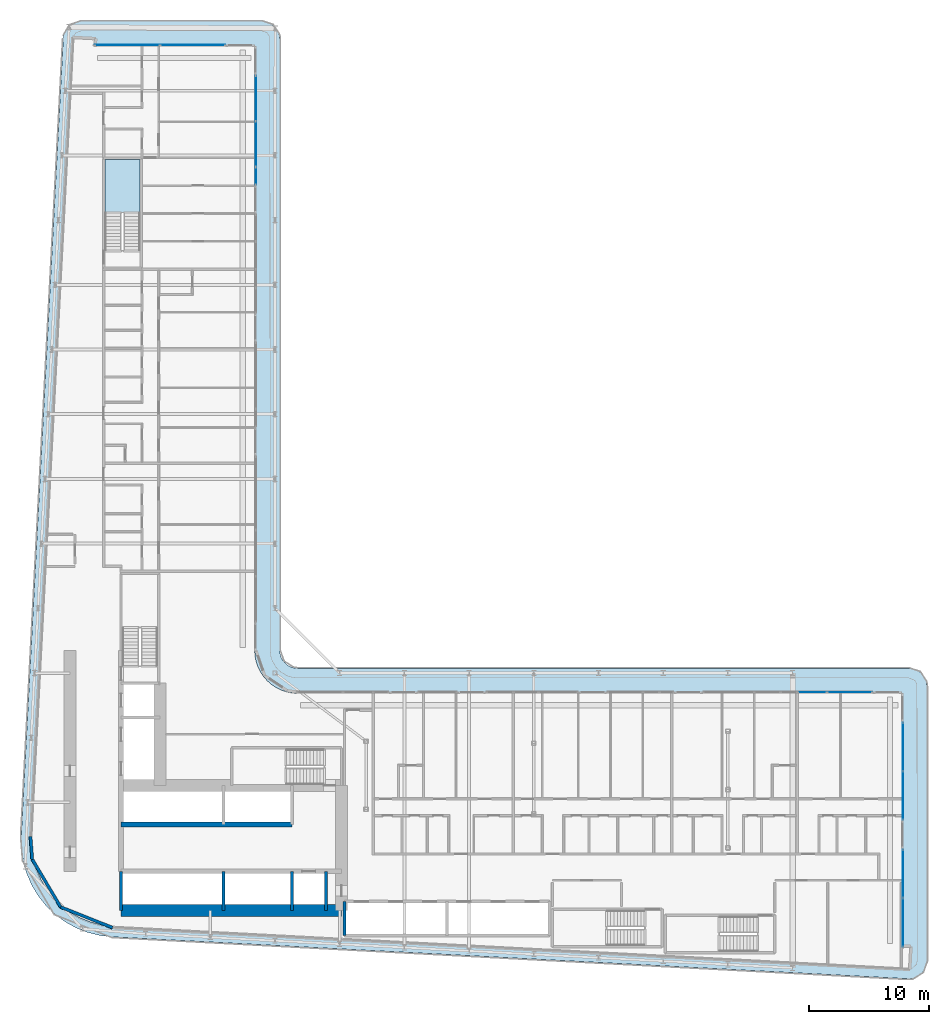
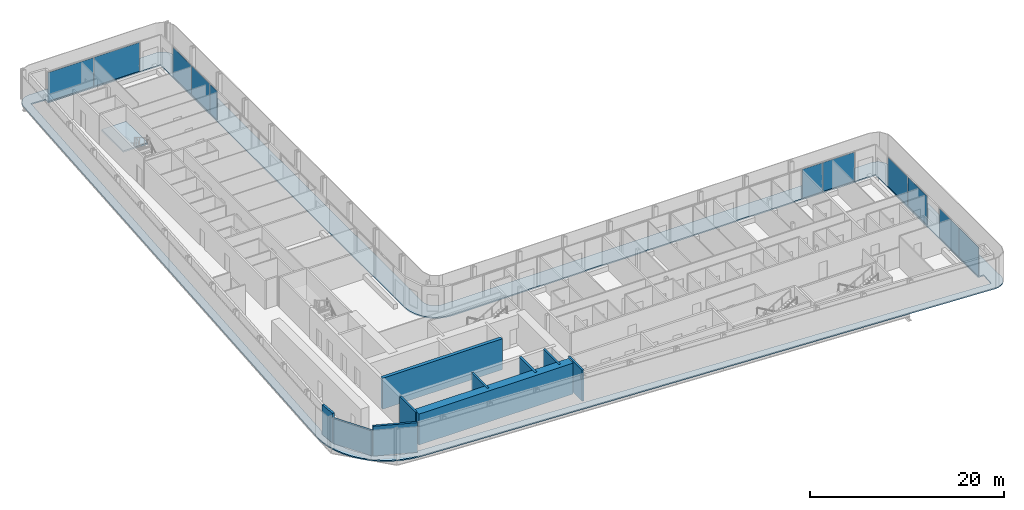
# One storey, part 12 of 28: 11 plates, 10 walls, 2 slabs, 7 elements without a shape of their own.
"""IFC4 building model written with IfcOpenShell, lengths in metres."""

from ifc_helpers import new_model, si_unit, direction, frame, frame_2d, origin, origin_2d, place, context, subcontext, project, spatial, polyline, rectangle, outline, extrude, material, layer, layer_set, type_object, element, aggregate, save


model = new_model("IFC4")

# Units and contexts
model_context = context("Model", 3, precision=1e-05, world=origin(), true_north=direction((0.0, 1.0)))
body_context = subcontext(model_context, "Body", "Model", "MODEL_VIEW")
ifc_project = project(units=[si_unit("LENGTHUNIT", "METRE"), si_unit("AREAUNIT", "SQUARE_METRE"), si_unit("VOLUMEUNIT", "CUBIC_METRE"), si_unit("PLANEANGLEUNIT", "RADIAN"), si_unit("MASSUNIT", "GRAM", prefix="KILO")], contexts=[model_context])

# Site, building, storey
site_placement = place(None, origin())
site = spatial("IfcSite", under=ifc_project, at=site_placement, CompositionType="ELEMENT")
building_placement = place(site_placement, origin())
building = spatial("IfcBuilding", under=site, at=building_placement, Name="Kheshtan School and Residences Tower", CompositionType="ELEMENT")
storey_placement = place(building_placement, frame((0.0, 0.0, 73.39990234375)))
storey = spatial("IfcBuildingStorey", under=building, at=storey_placement, Name="L17", CompositionType="ELEMENT", Elevation=73.39990234375)

# Curtain wall, plates
ifc_material_1 = material(Name="Clear low-e glass in thermally broken aluminium frame", Category="aluminium")
ifc_layer_1 = layer(ifc_material_1, 0.199951171875)
ifc_layer_set_1 = layer_set([ifc_layer_1], Name="Curtain wall CW-L")
curtain_wall_type = type_object("IfcCurtainWallType", Name="Curtain wall CW-L", PredefinedType="NOTDEFINED", material=ifc_layer_set_1)
curtain_wall_1_placement = place(storey_placement, origin())
curtain_wall_1 = element("IfcCurtainWall", 1, at=curtain_wall_1_placement, inside=storey, type_object=curtain_wall_type, Name="Curtain wall CWL7", PredefinedType="NOTDEFINED")
ifc_layer_2 = layer(ifc_material_1, 0.031982421875)
ifc_layer_set_2 = layer_set([ifc_layer_2], Name="CW-L glass panel")
plate_type = type_object("IfcPlateType", Name="CW-L glass panel", PredefinedType="CURTAIN_PANEL", material=ifc_layer_set_2)
plate_1_placement = place(storey_placement, frame((35.259033203125, 98.0, 0.000244140625), z_axis=(0.0, 0.0, 1.0), x_axis=(1.0, 0.0, 0.0)))
plate_1 = element("IfcPlate", 2, at=plate_1_placement, type_object=plate_type, Name="CWL7 panel 1.1", PredefinedType="CURTAIN_PANEL", context=body_context, shape_type="SweptSolid", body=[
    extrude(rectangle(XDim=5.4140625, YDim=0.031982421875, at=origin_2d()), origin(), (0.0, 0.0, 1.0), 3.6298828125),
])
plate_2_placement = place(storey_placement, frame((40.73291015625, 98.0, 0.000244140625), z_axis=(0.0, 0.0, 1.0), x_axis=(1.0, 0.0, 0.0)))
plate_2 = element("IfcPlate", 3, at=plate_2_placement, type_object=plate_type, Name="CWL7 panel 2.1", PredefinedType="CURTAIN_PANEL", context=body_context, shape_type="SweptSolid", body=[
    extrude(rectangle(XDim=5.4140625, YDim=0.031982421875, at=origin_2d()), origin(), (0.0, 0.0, 1.0), 3.6298828125),
])
aggregate(curtain_wall_1, [plate_1, plate_2])

curtain_wall_2_placement = place(storey_placement, origin())
curtain_wall_2 = element("IfcCurtainWall", 4, at=curtain_wall_2_placement, inside=storey, type_object=curtain_wall_type, Name="Curtain wall CWL8", PredefinedType="NOTDEFINED")
plate_3_placement = place(storey_placement, frame((46.0, 93.5615234375, 0.000244140625), z_axis=(0.0, 0.0, 1.0), x_axis=(0.0, -1.0, 0.0)))
plate_3 = element("IfcPlate", 5, at=plate_3_placement, type_object=plate_type, Name="CWL8 panel 1.1", PredefinedType="CURTAIN_PANEL", context=body_context, shape_type="SweptSolid", body=[
    extrude(rectangle(XDim=3.757080078125, YDim=0.031982421875, at=origin_2d()), origin(), (0.0, 0.0, 1.0), 3.6298828125),
])
plate_4_placement = place(storey_placement, frame((46.0, 89.744384765625, 0.000244140625), z_axis=(0.0, 0.0, 1.0), x_axis=(0.0, -1.0, 0.0)))
plate_4 = element("IfcPlate", 6, at=plate_4_placement, type_object=plate_type, Name="CWL8 panel 2.1", PredefinedType="CURTAIN_PANEL", context=body_context, shape_type="SweptSolid", body=[
    extrude(rectangle(XDim=3.757080078125, YDim=0.031982421875, at=origin_2d()), origin(), (0.0, 0.0, 1.0), 3.6298828125),
])
aggregate(curtain_wall_2, [plate_3, plate_4])

# Curtain wall, plate
curtain_wall_3_placement = place(storey_placement, origin())
curtain_wall_3 = element("IfcCurtainWall", 7, at=curtain_wall_3_placement, inside=storey, type_object=curtain_wall_type, Name="Curtain wall CWL8a", PredefinedType="NOTDEFINED")
plate_5_placement = place(storey_placement, frame((46.0, 87.0859375, 0.000244140625), z_axis=(0.0, 0.0, 1.0), x_axis=(0.0, -1.0, 0.0)))
plate_5 = element("IfcPlate", 8, at=plate_5_placement, type_object=plate_type, Name="CWL8a panel 1.1", PredefinedType="CURTAIN_PANEL", context=body_context, shape_type="SweptSolid", body=[
    extrude(rectangle(XDim=1.43994140625, YDim=0.031982421875, at=origin_2d()), origin(), (0.0, 0.0, 1.0), 3.6298828125),
])
aggregate(curtain_wall_3, [plate_5])

# Curtain wall, plates
curtain_wall_4_placement = place(storey_placement, origin())
curtain_wall_4 = element("IfcCurtainWall", 9, at=curtain_wall_4_placement, inside=storey, type_object=curtain_wall_type, Name="Curtain wall CWL12k", PredefinedType="NOTDEFINED")
plate_6_placement = place(storey_placement, frame((92.426513671875, 44.0, 0.000244140625), z_axis=(0.0, 0.0, 1.0), x_axis=(1.0, 0.0, 0.0)))
plate_6 = element("IfcPlate", 10, at=plate_6_placement, type_object=plate_type, Name="CWL12k panel 2.1", PredefinedType="CURTAIN_PANEL", context=body_context, shape_type="SweptSolid", body=[
    extrude(rectangle(XDim=2.39306640625, YDim=0.031982421875, at=origin_2d()), origin(), (0.0, 0.0, 1.0), 3.6298828125),
])
plate_7_placement = place(storey_placement, frame((95.5615234375, 44.0, 0.000244140625), z_axis=(0.0, 0.0, 1.0), x_axis=(1.0, 0.0, 0.0)))
plate_7 = element("IfcPlate", 11, at=plate_7_placement, type_object=plate_type, Name="CWL12k panel 3.1", PredefinedType="CURTAIN_PANEL", context=body_context, shape_type="SweptSolid", body=[
    extrude(rectangle(XDim=3.757080078125, YDim=0.031982421875, at=origin_2d()), origin(), (0.0, 0.0, 1.0), 3.6298828125),
])
aggregate(curtain_wall_4, [plate_6, plate_7])

curtain_wall_5_placement = place(storey_placement, origin())
curtain_wall_5 = element("IfcCurtainWall", 12, at=curtain_wall_5_placement, inside=storey, type_object=curtain_wall_type, Name="Curtain wall CWL13b", PredefinedType="NOTDEFINED")
plate_8_placement = place(storey_placement, frame((100.0, 39.436767578125, 0.000244140625), z_axis=(0.0, 0.0, 1.0), x_axis=(0.0, -1.0, 0.0)))
plate_8 = element("IfcPlate", 13, at=plate_8_placement, type_object=plate_type, Name="CWL13b panel 1.1", PredefinedType="CURTAIN_PANEL", context=body_context, shape_type="SweptSolid", body=[
    extrude(rectangle(XDim=4.006591796875, YDim=0.031982421875, at=origin_2d()), origin(), (0.0, 0.0, 1.0), 3.6298828125),
])
plate_9_placement = place(storey_placement, frame((100.0, 35.370361328125, 0.000244140625), z_axis=(0.0, 0.0, 1.0), x_axis=(0.0, -1.0, 0.0)))
plate_9 = element("IfcPlate", 14, at=plate_9_placement, type_object=plate_type, Name="CWL13b panel 2.1", PredefinedType="CURTAIN_PANEL", context=body_context, shape_type="SweptSolid", body=[
    extrude(rectangle(XDim=4.006591796875, YDim=0.031982421875, at=origin_2d()), origin(), (0.0, 0.0, 1.0), 3.6298828125),
])
aggregate(curtain_wall_5, [plate_8, plate_9])

curtain_wall_6_placement = place(storey_placement, origin())
curtain_wall_6 = element("IfcCurtainWall", 15, at=curtain_wall_6_placement, inside=storey, type_object=curtain_wall_type, Name="Curtain wall CWL13b", PredefinedType="NOTDEFINED")
plate_10_placement = place(storey_placement, frame((100.0, 28.84375, 0.000244140625), z_axis=(0.0, 0.0, 1.0), x_axis=(0.0, -1.0, 0.0)))
plate_10 = element("IfcPlate", 16, at=plate_10_placement, type_object=plate_type, Name="CWL13b panel 1.1", PredefinedType="CURTAIN_PANEL", context=body_context, shape_type="SweptSolid", body=[
    extrude(rectangle(XDim=4.006591796875, YDim=0.031982421875, at=origin_2d()), origin(), (0.0, 0.0, 1.0), 3.6298828125),
])
plate_11_placement = place(storey_placement, frame((100.0, 24.77734375, 0.000244140625), z_axis=(0.0, 0.0, 1.0), x_axis=(0.0, -1.0, 0.0)))
plate_11 = element("IfcPlate", 17, at=plate_11_placement, type_object=plate_type, Name="CWL13b panel 2.1", PredefinedType="CURTAIN_PANEL", context=body_context, shape_type="SweptSolid", body=[
    extrude(rectangle(XDim=4.006591796875, YDim=0.031982421875, at=origin_2d()), origin(), (0.0, 0.0, 1.0), 3.6298828125),
])
aggregate(curtain_wall_6, [plate_10, plate_11])

# Slab
ifc_material_2 = material(Name="Concrete C40/50", Category="concrete")
ifc_layer_3 = layer(ifc_material_2, 0.14990234375)
ifc_layer_set_3 = layer_set([ifc_layer_3], Name="Loggia balcony slab 150 Concrete C40/50")
slab_type_1 = type_object("IfcSlabType", Name="Loggia balcony slab 150 Concrete C40/50", PredefinedType="FLOOR", material=ifc_layer_set_3)
slab_1_placement = place(storey_placement, frame((0.0, 0.0, -0.14990234375)))
element("IfcSlab", 18, at=slab_1_placement, inside=storey, type_object=slab_type_1, Name="Loggia balcony slab L17", PredefinedType="FLOOR", context=body_context, shape_type="SweptSolid", body=[
    extrude(outline(polyline([(28.4580078125, 26.222900390625), (28.45703125, 26.222900390625), (28.45703125, 26.22412109375), (28.4560546875, 26.22412109375), (27.81494140625, 27.0390625), (27.281005859375, 27.93798828125), (26.867919921875, 28.89990234375), (26.583984375, 29.89990234375), (26.583984375, 29.906982421875), (26.43408203125, 30.943115234375), (26.419921875, 31.989013671875), (29.925048828125, 98.5791015625), (29.930908203125, 98.626953125), (29.930908203125, 98.6279296875), (29.929931640625, 98.6279296875), (29.929931640625, 98.62890625), (29.928955078125, 98.62890625), (29.928955078125, 98.6298828125), (29.927978515625, 98.6298828125), (29.927978515625, 98.631103515625), (29.927001953125, 98.631103515625), (29.927001953125, 98.632080078125), (29.927001953125, 98.633056640625), (29.945068359375, 98.781005859375), (29.945068359375, 98.783935546875), (29.945068359375, 98.784912109375), (29.946044921875, 98.784912109375), (29.946044921875, 98.785888671875), (29.947021484375, 98.785888671875), (29.947021484375, 98.787109375), (29.947998046875, 98.787109375), (29.948974609375, 98.787109375), (29.948974609375, 98.7880859375), (29.949951171875, 98.7880859375), (29.949951171875, 98.7890625), (29.949951171875, 98.791015625), (30.0029296875, 98.98388671875), (30.083984375, 99.175048828125), (30.18896484375, 99.35302734375), (30.31103515625, 99.507080078125), (30.31201171875, 99.507080078125), (30.31201171875, 99.508056640625), (30.31298828125, 99.508056640625), (30.31298828125, 99.509033203125), (30.31396484375, 99.509033203125), (30.31396484375, 99.510009765625), (30.31494140625, 99.510009765625), (30.31494140625, 99.510986328125), (30.31591796875, 99.510986328125), (30.31591796875, 99.511962890625), (30.31689453125, 99.511962890625), (30.31689453125, 99.512939453125), (30.318115234375, 99.512939453125), (30.320068359375, 99.512939453125), (30.321044921875, 99.512939453125), (30.321044921875, 99.513916015625), (30.468017578125, 99.656982421875), (30.468994140625, 99.656982421875), (30.468994140625, 99.657958984375), (30.469970703125, 99.657958984375), (30.469970703125, 99.658935546875), (30.470947265625, 99.658935546875), (30.470947265625, 99.659912109375), (30.471923828125, 99.659912109375), (30.471923828125, 99.660888671875), (30.472900390625, 99.660888671875), (30.472900390625, 99.662109375), (30.47412109375, 99.662109375), (30.47412109375, 99.6630859375), (30.47509765625, 99.6630859375), (30.47509765625, 99.6640625), (30.635986328125, 99.777099609375), (30.820068359375, 99.873046875), (31.007080078125, 99.943115234375), (31.013916015625, 99.943115234375), (31.217041015625, 99.986083984375), (31.423095703125, 100.0), (46.5, 100.0), (46.696044921875, 99.987060546875), (46.887939453125, 99.948974609375), (46.89501953125, 99.948974609375), (47.073974609375, 99.885986328125), (47.243896484375, 99.801025390625), (47.2451171875, 99.801025390625), (47.2470703125, 99.801025390625), (47.248046875, 99.801025390625), (47.248046875, 99.802001953125), (47.2490234375, 99.802001953125), (47.2490234375, 99.802978515625), (47.25, 99.802978515625), (47.2529296875, 99.802978515625), (47.25390625, 99.802978515625), (47.25390625, 99.802001953125), (47.2548828125, 99.802001953125), (47.2548828125, 99.801025390625), (47.256103515625, 99.801025390625), (47.256103515625, 99.800048828125), (47.257080078125, 99.800048828125), (47.257080078125, 99.799072265625), (47.258056640625, 99.799072265625), (47.258056640625, 99.798095703125), (47.412109375, 99.696044921875), (47.4130859375, 99.696044921875), (47.4130859375, 99.695068359375), (47.4140625, 99.695068359375), (47.4140625, 99.694091796875), (47.4140625, 99.68994140625), (47.4140625, 99.68896484375), (47.4150390625, 99.68896484375), (47.4150390625, 99.68798828125), (47.416015625, 99.68798828125), (47.416015625, 99.68701171875), (47.4169921875, 99.68701171875), (47.4169921875, 99.68603515625), (47.554931640625, 99.568115234375), (47.554931640625, 99.56689453125), (47.555908203125, 99.56689453125), (47.555908203125, 99.56591796875), (47.556884765625, 99.56591796875), (47.556884765625, 99.56494140625), (47.55810546875, 99.56494140625), (47.55810546875, 99.56396484375), (47.55908203125, 99.56396484375), (47.55908203125, 99.56298828125), (47.56005859375, 99.56298828125), (47.56005859375, 99.56201171875), (47.56103515625, 99.56201171875), (47.56201171875, 99.56103515625), (47.56201171875, 99.56005859375), (47.56298828125, 99.56005859375), (47.56298828125, 99.55908203125), (47.56396484375, 99.55908203125), (47.56396484375, 99.55810546875), (47.56494140625, 99.55810546875), (47.56494140625, 99.556884765625), (47.56591796875, 99.556884765625), (47.56591796875, 99.555908203125), (47.56689453125, 99.555908203125), (47.56689453125, 99.554931640625), (47.568115234375, 99.554931640625), (47.68505859375, 99.41796875), (47.68603515625, 99.41796875), (47.68603515625, 99.4169921875), (47.68701171875, 99.4169921875), (47.68701171875, 99.416015625), (47.68798828125, 99.416015625), (47.68798828125, 99.4150390625), (47.68896484375, 99.4150390625), (47.68896484375, 99.4140625), (47.68994140625, 99.4140625), (47.694091796875, 99.4140625), (47.695068359375, 99.4140625), (47.695068359375, 99.4130859375), (47.696044921875, 99.4130859375), (47.696044921875, 99.412109375), (47.797119140625, 99.259033203125), (47.798095703125, 99.259033203125), (47.798095703125, 99.258056640625), (47.799072265625, 99.258056640625), (47.799072265625, 99.257080078125), (47.800048828125, 99.257080078125), (47.800048828125, 99.256103515625), (47.801025390625, 99.256103515625), (47.801025390625, 99.2548828125), (47.802001953125, 99.2548828125), (47.802001953125, 99.25390625), (47.802978515625, 99.25390625), (47.802978515625, 99.2529296875), (47.802978515625, 99.25), (47.802978515625, 99.2490234375), (47.802001953125, 99.2490234375), (47.802001953125, 99.248046875), (47.801025390625, 99.248046875), (47.801025390625, 99.2470703125), (47.801025390625, 99.243896484375), (47.801025390625, 99.242919921875), (47.885986328125, 99.073974609375), (47.948974609375, 98.89501953125), (47.948974609375, 98.887939453125), (47.987060546875, 98.696044921875), (48.0, 98.5), (48.0, 47.5), (48.012939453125, 47.303955078125), (48.051025390625, 47.113037109375), (48.051025390625, 47.10693359375), (48.051025390625, 47.10595703125), (48.114013671875, 46.926025390625), (48.200927734375, 46.75), (48.31005859375, 46.5869140625), (48.431884765625, 46.444091796875), (48.43310546875, 46.444091796875), (48.43310546875, 46.443115234375), (48.43408203125, 46.443115234375), (48.43408203125, 46.44189453125), (48.43505859375, 46.44189453125), (48.43505859375, 46.44091796875), (48.43603515625, 46.44091796875), (48.43603515625, 46.43994140625), (48.43701171875, 46.43994140625), (48.43701171875, 46.43896484375), (48.43798828125, 46.43896484375), (48.43896484375, 46.43798828125), (48.43896484375, 46.43701171875), (48.43994140625, 46.43701171875), (48.43994140625, 46.43603515625), (48.44091796875, 46.43603515625), (48.44091796875, 46.43505859375), (48.44189453125, 46.43505859375), (48.44189453125, 46.43408203125), (48.443115234375, 46.43408203125), (48.443115234375, 46.43310546875), (48.444091796875, 46.43310546875), (48.444091796875, 46.431884765625), (48.5869140625, 46.31005859375), (48.75, 46.200927734375), (48.926025390625, 46.114013671875), (49.10595703125, 46.051025390625), (49.10693359375, 46.051025390625), (49.113037109375, 46.051025390625), (49.303955078125, 46.012939453125), (49.5, 46.0), (100.5, 46.0), (100.696044921875, 45.987060546875), (100.887939453125, 45.948974609375), (100.89501953125, 45.948974609375), (101.073974609375, 45.885986328125), (101.241943359375, 45.801025390625), (101.242919921875, 45.801025390625), (101.2470703125, 45.801025390625), (101.248046875, 45.801025390625), (101.248046875, 45.802001953125), (101.2490234375, 45.802001953125), (101.2490234375, 45.802978515625), (101.25, 45.802978515625), (101.2529296875, 45.802978515625), (101.25390625, 45.802978515625), (101.25390625, 45.802001953125), (101.2548828125, 45.802001953125), (101.2548828125, 45.801025390625), (101.256103515625, 45.801025390625), (101.256103515625, 45.800048828125), (101.257080078125, 45.800048828125), (101.257080078125, 45.799072265625), (101.258056640625, 45.799072265625), (101.258056640625, 45.798095703125), (101.259033203125, 45.798095703125), (101.259033203125, 45.797119140625), (101.260009765625, 45.797119140625), (101.260009765625, 45.7958984375), (101.412109375, 45.696044921875), (101.4130859375, 45.696044921875), (101.4130859375, 45.695068359375), (101.4140625, 45.695068359375), (101.4140625, 45.694091796875), (101.4140625, 45.68994140625), (101.4140625, 45.68896484375), (101.4150390625, 45.68896484375), (101.4150390625, 45.68798828125), (101.416015625, 45.68798828125), (101.416015625, 45.68701171875), (101.4169921875, 45.68701171875), (101.4169921875, 45.68603515625), (101.41796875, 45.68603515625), (101.41796875, 45.68505859375), (101.4189453125, 45.68505859375), (101.4189453125, 45.68408203125), (101.554931640625, 45.568115234375), (101.554931640625, 45.56689453125), (101.555908203125, 45.56689453125), (101.555908203125, 45.56591796875), (101.556884765625, 45.56591796875), (101.556884765625, 45.56494140625), (101.55810546875, 45.56494140625), (101.55810546875, 45.56396484375), (101.55908203125, 45.56396484375), (101.55908203125, 45.56298828125), (101.56005859375, 45.56298828125), (101.56005859375, 45.56201171875), (101.56103515625, 45.56201171875), (101.56201171875, 45.56103515625), (101.56201171875, 45.56005859375), (101.56298828125, 45.56005859375), (101.56298828125, 45.55908203125), (101.56396484375, 45.55908203125), (101.56396484375, 45.55810546875), (101.56494140625, 45.55810546875), (101.56494140625, 45.556884765625), (101.56591796875, 45.556884765625), (101.56591796875, 45.555908203125), (101.56689453125, 45.555908203125), (101.56689453125, 45.554931640625), (101.568115234375, 45.554931640625), (101.681884765625, 45.4208984375), (101.68310546875, 45.4208984375), (101.68310546875, 45.419921875), (101.68408203125, 45.419921875), (101.68408203125, 45.4189453125), (101.68505859375, 45.4189453125), (101.68505859375, 45.41796875), (101.68603515625, 45.41796875), (101.68603515625, 45.4169921875), (101.68701171875, 45.4169921875), (101.68701171875, 45.416015625), (101.68798828125, 45.416015625), (101.68798828125, 45.4150390625), (101.68896484375, 45.4150390625), (101.68896484375, 45.4140625), (101.68994140625, 45.4140625), (101.694091796875, 45.4140625), (101.695068359375, 45.4140625), (101.695068359375, 45.4130859375), (101.696044921875, 45.4130859375), (101.696044921875, 45.412109375), (101.7939453125, 45.261962890625), (101.794921875, 45.261962890625), (101.794921875, 45.260986328125), (101.7958984375, 45.260986328125), (101.7958984375, 45.260009765625), (101.797119140625, 45.260009765625), (101.797119140625, 45.259033203125), (101.798095703125, 45.259033203125), (101.798095703125, 45.258056640625), (101.799072265625, 45.258056640625), (101.799072265625, 45.257080078125), (101.800048828125, 45.257080078125), (101.800048828125, 45.256103515625), (101.801025390625, 45.256103515625), (101.801025390625, 45.2548828125), (101.802001953125, 45.2548828125), (101.802001953125, 45.25390625), (101.802978515625, 45.25390625), (101.802978515625, 45.2529296875), (101.802978515625, 45.25), (101.802978515625, 45.2490234375), (101.802001953125, 45.2490234375), (101.802001953125, 45.248046875), (101.801025390625, 45.248046875), (101.801025390625, 45.2470703125), (101.801025390625, 45.240966796875), (101.801025390625, 45.239990234375), (101.885986328125, 45.073974609375), (101.948974609375, 44.89501953125), (101.948974609375, 44.887939453125), (101.987060546875, 44.696044921875), (102.0, 44.5), (102.0, 21.5810546875), (101.986083984375, 21.37890625), (101.945068359375, 21.179931640625), (101.945068359375, 21.173095703125), (101.8779296875, 20.989013671875), (101.785888671875, 20.80810546875), (101.6708984375, 20.64306640625), (101.6708984375, 20.64208984375), (101.6708984375, 20.64111328125), (101.6708984375, 20.639892578125), (101.672119140625, 20.639892578125), (101.672119140625, 20.638916015625), (101.672119140625, 20.636962890625), (101.672119140625, 20.635986328125), (101.6708984375, 20.635986328125), (101.6708984375, 20.635009765625), (101.5380859375, 20.491943359375), (101.534912109375, 20.489013671875), (101.533935546875, 20.489013671875), (101.533935546875, 20.488037109375), (101.532958984375, 20.488037109375), (101.531005859375, 20.488037109375), (101.530029296875, 20.488037109375), (101.530029296875, 20.489013671875), (101.529052734375, 20.489013671875), (101.528076171875, 20.489013671875), (101.527099609375, 20.489013671875), (101.3759765625, 20.364013671875), (101.2041015625, 20.256103515625), (101.01904296875, 20.174072265625), (100.8310546875, 20.116943359375), (100.823974609375, 20.116943359375), (100.6240234375, 20.0859375), (100.4208984375, 20.0830078125), (33.989013671875, 23.580078125), (33.94189453125, 23.5859375), (33.94091796875, 23.5859375), (33.93994140625, 23.5859375), (33.93994140625, 23.5849609375), (33.93896484375, 23.5849609375), (33.93896484375, 23.583984375), (33.93798828125, 23.583984375), (33.93798828125, 23.5830078125), (33.93701171875, 23.5830078125), (33.93701171875, 23.58203125), (33.93603515625, 23.58203125), (33.93505859375, 23.58203125), (32.952880859375, 23.697998046875), (32.949951171875, 23.697998046875), (32.948974609375, 23.697998046875), (32.948974609375, 23.698974609375), (32.947998046875, 23.698974609375), (32.947998046875, 23.699951171875), (32.947021484375, 23.699951171875), (32.947021484375, 23.700927734375), (32.947021484375, 23.702880859375), (32.947021484375, 23.7041015625), (32.946044921875, 23.7041015625), (32.946044921875, 23.705078125), (32.945068359375, 23.705078125), (32.944091796875, 23.705078125), (31.93603515625, 23.9609375), (31.928955078125, 23.9609375), (30.964111328125, 24.34912109375), (30.051025390625, 24.860107421875), (29.218994140625, 25.47900390625), (29.218994140625, 25.47998046875), (29.218017578125, 25.47998046875), (29.218017578125, 25.48095703125), (29.217041015625, 25.48095703125), (29.217041015625, 25.48193359375), (29.216064453125, 25.48193359375), (29.216064453125, 25.48291015625), (29.215087890625, 25.48291015625), (29.215087890625, 25.48388671875), (29.214111328125, 25.48388671875), (29.214111328125, 25.485107421875), (29.212890625, 25.485107421875), (29.212890625, 25.486083984375), (29.2119140625, 25.486083984375), (28.466064453125, 26.217041015625), (28.466064453125, 26.218017578125), (28.465087890625, 26.218017578125), (28.462890625, 26.218017578125), (28.4619140625, 26.218017578125), (28.4619140625, 26.218994140625), (28.4609375, 26.218994140625), (28.4609375, 26.219970703125), (28.4599609375, 26.219970703125), (28.4599609375, 26.220947265625), (28.458984375, 26.220947265625), (28.458984375, 26.221923828125), (28.4580078125, 26.221923828125), (28.4580078125, 26.222900390625)]), holes=[polyline([(29.12890625, 26.824951171875), (29.12890625, 26.823974609375), (29.1298828125, 26.823974609375), (29.1298828125, 26.822998046875), (29.131103515625, 26.822998046875), (29.131103515625, 26.822021484375), (29.132080078125, 26.822021484375), (29.132080078125, 26.821044921875), (29.133056640625, 26.821044921875), (29.133056640625, 26.820068359375), (29.134033203125, 26.820068359375), (29.7958984375, 26.173095703125), (29.7958984375, 26.172119140625), (29.797119140625, 26.172119140625), (29.798095703125, 26.172119140625), (29.799072265625, 26.172119140625), (29.799072265625, 26.1708984375), (29.800048828125, 26.1708984375), (29.800048828125, 26.169921875), (29.801025390625, 26.169921875), (29.801025390625, 26.1689453125), (29.802001953125, 26.1689453125), (29.802001953125, 26.16796875), (29.802978515625, 26.16796875), (29.802978515625, 26.1669921875), (29.803955078125, 26.1669921875), (29.803955078125, 26.166015625), (30.541015625, 25.616943359375), (31.35205078125, 25.1630859375), (32.208984375, 24.819091796875), (32.2099609375, 24.819091796875), (32.216064453125, 24.819091796875), (33.114990234375, 24.590087890625), (34.06591796875, 24.47705078125), (100.43798828125, 20.98291015625), (100.465087890625, 20.98388671875), (100.466064453125, 20.98388671875), (100.467041015625, 20.98388671875), (100.467041015625, 20.985107421875), (100.468017578125, 20.985107421875), (100.468017578125, 20.986083984375), (100.468017578125, 20.987060546875), (100.55810546875, 22.676025390625), (100.55810546875, 22.677001953125), (100.55810546875, 22.677978515625), (100.556884765625, 22.677978515625), (100.556884765625, 22.678955078125), (100.555908203125, 22.678955078125), (100.554931640625, 22.678955078125), (99.90087890625, 22.714111328125), (99.89990234375, 22.714111328125), (99.89990234375, 22.715087890625), (99.89990234375, 43.89794921875), (99.89990234375, 43.89892578125), (99.89892578125, 43.89892578125), (99.89892578125, 43.89990234375), (99.89794921875, 43.89990234375), (49.429931640625, 43.89990234375), (49.030029296875, 43.927001953125), (48.569091796875, 44.01806640625), (48.56201171875, 44.01806640625), (48.1201171875, 44.169921875), (47.697021484375, 44.37890625), (47.30810546875, 44.638916015625), (46.95703125, 44.944091796875), (46.95703125, 44.945068359375), (46.9560546875, 44.945068359375), (46.9560546875, 44.946044921875), (46.955078125, 44.946044921875), (46.955078125, 44.947021484375), (46.9541015625, 44.947021484375), (46.9541015625, 44.947998046875), (46.952880859375, 44.947998046875), (46.952880859375, 44.948974609375), (46.951904296875, 44.948974609375), (46.951904296875, 44.949951171875), (46.951904296875, 44.950927734375), (46.950927734375, 44.950927734375), (46.950927734375, 44.951904296875), (46.949951171875, 44.951904296875), (46.948974609375, 44.951904296875), (46.948974609375, 44.952880859375), (46.947998046875, 44.952880859375), (46.947998046875, 44.9541015625), (46.947021484375, 44.9541015625), (46.947021484375, 44.955078125), (46.946044921875, 44.955078125), (46.946044921875, 44.9560546875), (46.945068359375, 44.9560546875), (46.945068359375, 44.95703125), (46.944091796875, 44.95703125), (46.638916015625, 45.30810546875), (46.37890625, 45.697021484375), (46.169921875, 46.1201171875), (46.01806640625, 46.56201171875), (46.01806640625, 46.569091796875), (45.927001953125, 47.030029296875), (45.89990234375, 47.429931640625), (45.89990234375, 97.89794921875), (45.89990234375, 97.89892578125), (45.89892578125, 97.89892578125), (45.89892578125, 97.89990234375), (45.89794921875, 97.89990234375), (32.492919921875, 97.89990234375), (32.491943359375, 97.89990234375), (32.52099609375, 98.43896484375), (32.52099609375, 98.43994140625), (32.52099609375, 98.44091796875), (32.52001953125, 98.44091796875), (32.52001953125, 98.44189453125), (32.51904296875, 98.44189453125), (32.51806640625, 98.44189453125), (30.8291015625, 98.531982421875), (30.827880859375, 98.531982421875), (30.826904296875, 98.531982421875), (30.826904296875, 98.531005859375), (30.825927734375, 98.531005859375), (30.825927734375, 98.530029296875), (30.825927734375, 98.529052734375), (30.822021484375, 98.5009765625), (27.320068359375, 31.970947265625), (27.3330078125, 31.013916015625), (27.466064453125, 30.093994140625), (27.466064453125, 30.087890625), (27.466064453125, 30.0869140625), (27.718017578125, 29.200927734375), (28.0849609375, 28.345947265625), (28.55908203125, 27.550048828125), (29.126953125, 26.825927734375), (29.1279296875, 26.825927734375), (29.1279296875, 26.824951171875), (29.12890625, 26.824951171875)])]), origin(), (0.0, 0.0, 1.0), 0.14990234375),
])

# Stair, slab
stair_type = type_object("IfcStairType", Name="Exit stair, half-turn", PredefinedType="HALF_TURN_STAIR", material=ifc_material_2)
stair_placement = place(storey_placement, origin())
stair = element("IfcStair", 19, at=stair_placement, inside=storey, type_object=stair_type, Name="L17 Protected Exit Stair ST3", PredefinedType="HALF_TURN_STAIR")
ifc_layer_4 = layer(ifc_material_2, 0.199951171875)
ifc_layer_set_4 = layer_set([ifc_layer_4], Name="Stair landing 200 Concrete C40/50")
slab_type_2 = type_object("IfcSlabType", Name="Stair landing 200 Concrete C40/50", PredefinedType="LANDING", material=ifc_layer_set_4)
slab_2_placement = place(storey_placement, frame((0.0, 0.0, 1.75)))
slab_2 = element("IfcSlab", 20, at=slab_2_placement, type_object=slab_type_2, Name="ST3 landing 1", PredefinedType="LANDING", context=body_context, shape_type="SweptSolid", body=[
    extrude(outline(polyline([(36.35009765625, 83.97998046875), (36.35009765625, 88.4599609375), (33.39990234375, 88.4599609375), (33.39990234375, 83.97998046875), (36.35009765625, 83.97998046875)])), origin(), (0.0, 0.0, 1.0), 0.2001953125),
])
aggregate(stair, [slab_2])

# Walls
ifc_material_3 = material(Name="Concrete C80/95", Category="concrete")
ifc_layer_5 = layer(ifc_material_3, 1.0)
ifc_layer_set_5 = layer_set([ifc_layer_5], Name="Core wall 1000 Concrete C80/95")
wall_type_1 = type_object("IfcWallType", Name="Core wall 1000 Concrete C80/95", PredefinedType="SHEAR", material=ifc_layer_set_5)
wall_1_placement = place(storey_placement, frame((34.75, 25.800048828125, 0.0), z_axis=(0.0, 0.0, 1.0), x_axis=(1.0, 0.0, 0.0)))
element("IfcWall", 21, at=wall_1_placement, inside=storey, type_object=wall_type_1, Name="Core wall CW-REAR-S", PredefinedType="SHEAR", context=body_context, shape_type="SweptSolid", body=[
    extrude(rectangle(XDim=18.39990234375, YDim=1.0, at=frame_2d((9.199951171875, 0.0))), origin(), (0.0, 0.0, 1.0), 3.900146484375),
])
ifc_material_4 = material(Name="Concrete C50/60", Category="concrete")
ifc_layer_6 = layer(ifc_material_4, 0.39990234375)
ifc_layer_set_6 = layer_set([ifc_layer_6], Name="Core wall 400 Concrete C50/60")
wall_type_2 = type_object("IfcWallType", Name="Core wall 400 Concrete C50/60", PredefinedType="SHEAR", material=ifc_layer_set_6)
wall_2_placement = place(storey_placement, frame((34.75, 32.949951171875, 0.0), z_axis=(0.0, 0.0, 1.0), x_axis=(1.0, 0.0, 0.0)))
element("IfcWall", 22, at=wall_2_placement, inside=storey, type_object=wall_type_2, Name="Core wall CW-HALL-S2", PredefinedType="SHEAR", context=body_context, shape_type="SweptSolid", body=[
    extrude(rectangle(XDim=14.25, YDim=0.39990234375, at=frame_2d((7.125, 0.0))), origin(), (0.0, 0.0, 1.0), 3.900146484375),
])
ifc_material_5 = material(Name="Concrete C40/50 with ceramic cladding and mineral wool insulation", Category="concrete")
ifc_layer_7 = layer(ifc_material_5, 0.25)
ifc_layer_set_7 = layer_set([ifc_layer_7], Name="External wall 250 ceramic clad")
wall_type_3 = type_object("IfcWallType", Name="External wall 250 ceramic clad", PredefinedType="SOLIDWALL", material=ifc_layer_set_7)
wall_3_placement = place(storey_placement, frame((34.0390625, 24.35302734375, 0.0), z_axis=(0.0, 0.0, 1.0), x_axis=(-0.929352825399, 0.369192803184, 0.0)))
element("IfcWall", 23, at=wall_3_placement, inside=storey, type_object=wall_type_3, Name="External wall L17 1", PredefinedType="SOLIDWALL", context=body_context, shape_type="SweptSolid", body=[
    extrude(rectangle(XDim=4.656005859375, YDim=0.25, at=frame_2d((2.328125, 0.0))), origin(), (0.0, 0.0, 1.0), 3.75),
])
wall_4_placement = place(storey_placement, frame((29.7119140625, 26.072021484375, 0.0), z_axis=(0.0, 0.0, 1.0), x_axis=(-0.511028049012, 0.859564036662, 0.0)))
element("IfcWall", 24, at=wall_4_placement, inside=storey, type_object=wall_type_3, Name="External wall L17 2", PredefinedType="SOLIDWALL", context=body_context, shape_type="SweptSolid", body=[
    extrude(rectangle(XDim=4.633544921875, YDim=0.25, at=frame_2d((2.31689453125, 0.0))), origin(), (0.0, 0.0, 1.0), 3.133056640625),
])
wall_5_placement = place(storey_placement, frame((27.343994140625, 30.054931640625, 0.0), z_axis=(0.0, 0.0, 1.0), x_axis=(-0.077571675317, 0.99698677784, 0.0)))
element("IfcWall", 25, at=wall_5_placement, inside=storey, type_object=wall_type_3, Name="External wall L17 3", PredefinedType="SOLIDWALL", context=body_context, shape_type="SweptSolid", body=[
    extrude(rectangle(XDim=1.919921875, YDim=0.25, at=frame_2d((0.9599609375, 0.0))), origin(), (0.0, 0.0, 1.0), 3.75),
])
ifc_material_6 = material(Name="Fire-board shaft wall system")
ifc_layer_8 = layer(ifc_material_6, 0.25)
ifc_layer_set_8 = layer_set([ifc_layer_8], Name="Shaft lining wall 250")
wall_type_4 = type_object("IfcWallType", Name="Shaft lining wall 250", PredefinedType="PARTITIONING", material=ifc_layer_set_8)
for number, where, z_axis, x_axis, name in (
    (26, (34.75, 25.800048828125, 0.0), (0.0, 0.0, 1.0), (0.0, 1.0, 0.0), "Shaft lining wall"),
    (27, (43.300048828125, 25.800048828125, 0.0), (0.0, 0.0, 1.0), (0.0, 1.0, 0.0), "Shaft lining wall"),
    (28, (49.0, 25.800048828125, 0.0), (0.0, 0.0, 1.0), (0.0, 1.0, 0.0), "Shaft lining wall"),
    (29, (51.85009765625, 25.800048828125, 0.0), (0.0, 0.0, 1.0), (0.0, 1.0, 0.0), "Shaft lining wall"),
):
    element("IfcWall", number, at=place(storey_placement, frame(where, z_axis=z_axis, x_axis=x_axis)), inside=storey, type_object=wall_type_4, Name=name, PredefinedType="PARTITIONING", context=body_context, shape_type="SweptSolid", body=[
        extrude(rectangle(XDim=3.25, YDim=0.25, at=frame_2d((1.625, 0.0))), origin(), (0.0, 0.0, 1.0), 3.900146484375),
    ])
wall_6_placement = place(storey_placement, frame((53.39990234375, 23.699951171875, 0.0), z_axis=(0.0, 0.0, 1.0), x_axis=(0.0, 1.0, 0.0)))
element("IfcWall", 30, at=wall_6_placement, inside=storey, type_object=wall_type_4, Name="Shaft lining wall", PredefinedType="PARTITIONING", context=body_context, shape_type="SweptSolid", body=[
    extrude(rectangle(XDim=2.85009765625, YDim=0.25, at=frame_2d((1.425048828125, 0.0))), origin(), (0.0, 0.0, 1.0), 3.900146484375),
])

save(model, "model.ifc")
